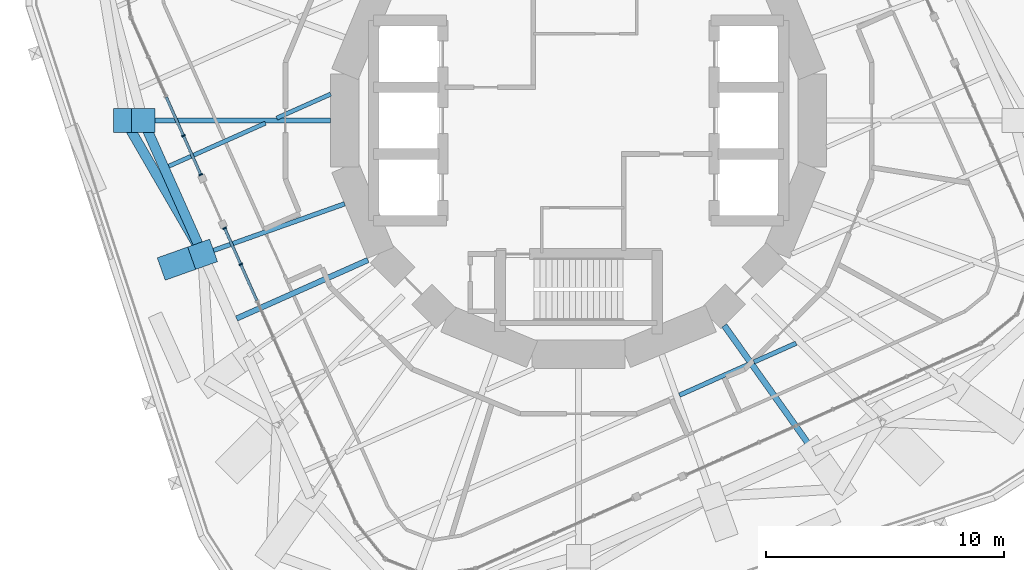
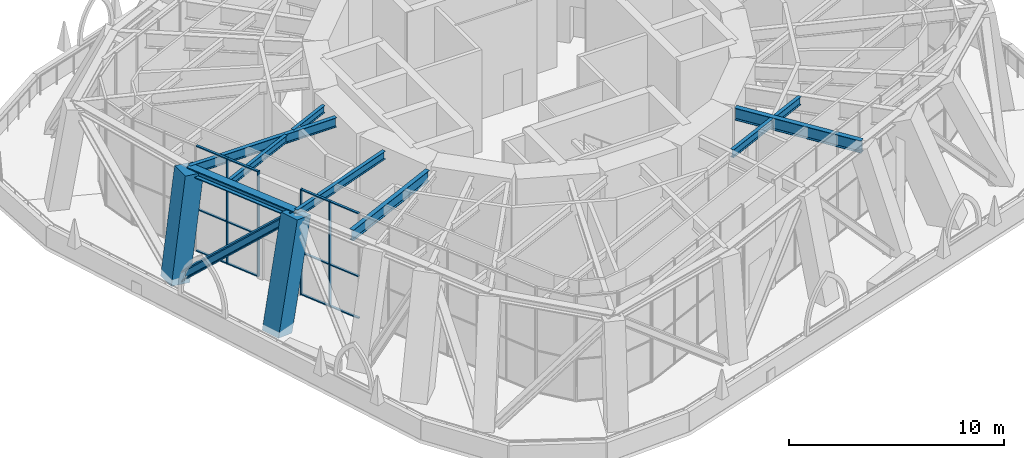
# One storey, part 3 of 18: 20 members, 8 beams, 2 elements without a shape of their own.
"""IFC4 building model written with IfcOpenShell, lengths in metres."""

import ifcopenshell
import ifcopenshell.guid

model = None  # the IFC model being written
_history = None  # IfcOwnerHistory: only IFC2X3 demands one
_inside = {}  # id of a spatial element -> (the spatial element, [elements in it])
_under = {}  # id of a project, library or spatial element -> (it, [spatial elements below it])
_declared = {}  # id of a project -> (the project, [libraries it declares])
_typed = {}  # id of a type object -> (the type object, [elements of that type])
_made_of = {}  # id of a material, layer set ... -> (it, [elements and type objects made of it])


def new_model(schema):
    """Start an empty IFC model of exactly this schema.

    Asked for "IFC4X3", IfcOpenShell would pick the latest addendum, in which some entities
    have other attributes; the version numbers below select the first issue.
    IFC2X3 requires an IfcOwnerHistory on every rooted entity: one is made here for all.
    """
    global model, _history
    if schema == "IFC4X3":
        model = ifcopenshell.file(schema_version=(4, 3, 0, 0))
    else:
        model = ifcopenshell.file(schema=schema)
    _inside.clear()
    _under.clear()
    _declared.clear()
    _typed.clear()
    _made_of.clear()
    _history = None
    if model.schema == "IFC2X3":
        org = make("IfcOrganization", Name="unknown")
        user = make(
            "IfcPersonAndOrganization",
            ThePerson=make("IfcPerson", FamilyName="unknown"),
            TheOrganization=org,
        )
        app = make(
            "IfcApplication",
            ApplicationDeveloper=org,
            Version="unknown",
            ApplicationFullName="unknown",
            ApplicationIdentifier="unknown",
        )
        _history = make(
            "IfcOwnerHistory",
            OwningUser=user,
            OwningApplication=app,
            ChangeAction="ADDED",
            CreationDate=0,
        )
    return model


def make(cls, **values):
    """One entity of the class cls with the attributes given. An attribute that is None is left unset."""
    return model.create_entity(
        cls, **{name: value for name, value in values.items() if value is not None}
    )


def rooted(cls, **values):
    """An entity with a GlobalId (a new one), such as an element, a storey or a relation."""
    return make(cls, GlobalId=ifcopenshell.guid.new(), OwnerHistory=_history, **values)


def si_unit(unit_type, name, prefix=None):
    """IfcSIUnit, for example si_unit("LENGTHUNIT", "METRE", prefix="MILLI")."""
    return make("IfcSIUnit", UnitType=unit_type, Prefix=prefix, Name=name)


def assignment(units):
    """IfcUnitAssignment: the units of a project."""
    return None if units is None else make("IfcUnitAssignment", Units=units)


def point(xyz):
    """IfcCartesianPoint."""
    return None if xyz is None else make("IfcCartesianPoint", Coordinates=xyz)


def direction(xyz):
    """IfcDirection."""
    return None if xyz is None else make("IfcDirection", DirectionRatios=xyz)


def frame(location, z_axis=None, x_axis=None):
    """IfcAxis2Placement3D, a coordinate frame: its origin and axes. An axis left out is left unset."""
    return make(
        "IfcAxis2Placement3D",
        Location=point(location),
        Axis=direction(z_axis),
        RefDirection=direction(x_axis),
    )


def frame_2d(location, x_axis=None):
    """IfcAxis2Placement2D, a coordinate frame in the plane: its origin and x axis."""
    return make(
        "IfcAxis2Placement2D", Location=point(location), RefDirection=direction(x_axis)
    )


def origin():
    """The frame at (0, 0, 0) with its axes left unset."""
    return frame((0.0, 0.0, 0.0))


def origin_2d():
    """The frame at (0, 0) in the plane with its x axis left unset."""
    return frame_2d((0.0, 0.0))


def place(relative_to, where):
    """IfcLocalPlacement: puts the frame where relative to a parent placement (None: the world)."""
    return make(
        "IfcLocalPlacement", PlacementRelTo=relative_to, RelativePlacement=where
    )


def context(
    kind, dimensions, precision=None, world=None, true_north=None, identifier=None
):
    """IfcGeometricRepresentationContext, for example the 3D "Model" context."""
    return make(
        "IfcGeometricRepresentationContext",
        ContextIdentifier=identifier,
        ContextType=kind,
        CoordinateSpaceDimension=dimensions,
        Precision=precision,
        WorldCoordinateSystem=world,
        TrueNorth=true_north,
    )


def subcontext(parent, identifier, kind, view, scale=None):
    """IfcGeometricRepresentationSubContext, for example "Body" below "Model"."""
    return make(
        "IfcGeometricRepresentationSubContext",
        ContextIdentifier=identifier,
        ContextType=kind,
        ParentContext=parent,
        TargetScale=scale,
        TargetView=view,
    )


def project(units=None, contexts=None):
    """IfcProject with its units and contexts."""
    return rooted(
        "IfcProject",
        Name="project",
        RepresentationContexts=contexts,
        UnitsInContext=assignment(units),
    )


def spatial(cls, under=None, at=None, **own):
    """A site, building, storey or space (cls), placed at a placement, below another one or the project."""
    s = rooted(cls, ObjectPlacement=at, **own)
    if under is not None:
        _under.setdefault(under.id(), (under, []))[1].append(s)
    return s


def profile(cls, at=None, kind="AREA", **sizes):
    """A parametric profile (cls). Its sizes go by their IFC names, for example OverallWidth=200.0."""
    return make(cls, ProfileType=kind, Position=at, **sizes)


def rectangle(**sizes):
    """IfcRectangleProfileDef."""
    return profile("IfcRectangleProfileDef", **sizes)


def i_section(**sizes):
    """IfcIShapeProfileDef."""
    return profile("IfcIShapeProfileDef", **sizes)


def extrude(swept, where, along, depth):
    """IfcExtrudedAreaSolid: the profile swept, set in the frame where, extruded along a direction by depth."""
    return make(
        "IfcExtrudedAreaSolid",
        SweptArea=swept,
        Position=where,
        ExtrudedDirection=direction(along),
        Depth=depth,
    )


def shape(context_of_items, identifier, shape_type, items):
    """IfcShapeRepresentation: the items that make up one representation, for example the "Body"."""
    return make(
        "IfcShapeRepresentation",
        ContextOfItems=context_of_items,
        RepresentationIdentifier=identifier,
        RepresentationType=shape_type,
        Items=items,
    )


def material(Name=None, Category=None):
    """IfcMaterial."""
    return make("IfcMaterial", Name=Name, Category=Category)


def material_profile(
    of_material, cross_section, Name=None, Category=None, Priority=None
):
    """IfcMaterialProfile: a cross section and its material."""
    return make(
        "IfcMaterialProfile",
        Name=Name,
        Material=of_material,
        Profile=cross_section,
        Priority=Priority,
        Category=Category,
    )


def profile_set(profiles, Name=None, composite=None):
    """IfcMaterialProfileSet."""
    return make(
        "IfcMaterialProfileSet",
        Name=Name,
        MaterialProfiles=profiles,
        CompositeProfile=composite,
    )


def made_of(thing, what):
    """Note that an element or type object is made of a material, layer set ...; save() writes the relation."""
    if what is not None:
        _made_of.setdefault(what.id(), (what, []))[1].append(thing)
    return thing


def type_object(cls, material=None, **own):
    """A type object (cls), such as IfcWallType, which elements share."""
    return made_of(rooted(cls, **own), material)


def element(
    cls,
    number,
    at=None,
    inside=None,
    cuts=None,
    type_object=None,
    material=None,
    context=None,
    identifier="Body",
    shape_type=None,
    held_by="IfcProductDefinitionShape",
    body=None,
    shapes=None,
    **own,
):
    """One element of the class cls, such as IfcWall. Its Tag is "e" and its number.

    at: its placement. inside: the storey or other place that contains it. cuts: it is an
    opening in that element (IfcRelVoidsElement). A single representation is given by context,
    identifier, shape_type and body (its items); several are given by shapes. held_by: the class
    of the entity that holds the representations. save() writes the other relations.
    """
    e = rooted(cls, Tag="e%d" % number, ObjectPlacement=at, **own)
    if body is not None:
        shapes = [shape(context, identifier, shape_type, body)]
    if shapes is not None:
        e.Representation = make(held_by, Representations=shapes)
    if inside is not None:
        _inside.setdefault(inside.id(), (inside, []))[1].append(e)
    if cuts is not None:
        rooted(
            "IfcRelVoidsElement", RelatingBuildingElement=cuts, RelatedOpeningElement=e
        )
    if type_object is not None:
        _typed.setdefault(type_object.id(), (type_object, []))[1].append(e)
    return made_of(e, material)


def aggregate(whole, parts):
    """IfcRelAggregates: a whole, such as a stair, and the parts it consists of."""
    return rooted("IfcRelAggregates", RelatingObject=whole, RelatedObjects=parts)


def save(model, path):
    """Write the relations noted so far, then the file.

    IfcRelAggregates (storeys below a building ...), IfcRelContainedInSpatialStructure (elements
    in a storey), IfcRelDefinesByType, IfcRelAssociatesMaterial and IfcRelDeclares: one each for
    every whole, place, type object, material and project.
    """
    for whole, parts in _under.values():
        aggregate(whole, parts)
    for where, things in _inside.values():
        rooted(
            "IfcRelContainedInSpatialStructure",
            RelatedElements=things,
            RelatingStructure=where,
        )
    for kind, things in _typed.values():
        rooted("IfcRelDefinesByType", RelatedObjects=things, RelatingType=kind)
    for what, things in _made_of.values():
        rooted("IfcRelAssociatesMaterial", RelatedObjects=things, RelatingMaterial=what)
    for by, libraries in _declared.values():
        rooted("IfcRelDeclares", RelatingContext=by, RelatedDefinitions=libraries)
    model.write(path)


model = new_model("IFC4")

# Units and contexts
model_context = context("Model", 3, precision=1e-05, world=origin(), true_north=direction((0.0, 1.0)))
body_context = subcontext(model_context, "Body", "Model", "MODEL_VIEW")
ifc_project = project(units=[si_unit("LENGTHUNIT", "METRE"), si_unit("AREAUNIT", "SQUARE_METRE"), si_unit("VOLUMEUNIT", "CUBIC_METRE"), si_unit("PLANEANGLEUNIT", "RADIAN"), si_unit("MASSUNIT", "GRAM", prefix="KILO")], contexts=[model_context])

# Site, building, storey
site_placement = place(None, origin())
site = spatial("IfcSite", under=ifc_project, at=site_placement, CompositionType="ELEMENT")
building_placement = place(site_placement, origin())
building = spatial("IfcBuilding", under=site, at=building_placement, Name="Nakasero Lantern House", CompositionType="ELEMENT")
storey_placement = place(building_placement, frame((0.0, 0.0, 176.449951171875)))
storey = spatial("IfcBuildingStorey", under=building, at=storey_placement, Name="L43", CompositionType="ELEMENT", Elevation=176.449951171875)

# Members
ifc_material_1 = material(Name="Steel S355", Category="steel")
ifc_material_profile_1 = material_profile(ifc_material_1, i_section(OverallWidth=0.412109375, OverallDepth=0.4365234375, WebThickness=0.035888671875, FlangeThickness=0.05810546875, FilletRadius=0.01513671875, at=origin_2d()), Name="UC 356x406x467")
ifc_profile_set_1 = profile_set([ifc_material_profile_1], Name="Steel S355")
member_type_1 = type_object("IfcMemberType", Name="Belt truss chord UC 356x406x467", PredefinedType="CHORD", material=ifc_profile_set_1)
member_1_placement = place(storey_placement, frame((-18.280517578125, 0.0, 5.581787109375), z_axis=(0.406765299215, -0.913532698569, 0.0), x_axis=(0.913532698569, 0.406765299215, 0.0)))
element("IfcMember", 1, at=member_1_placement, inside=storey, type_object=member_type_1, Name="Belt truss top chord T4 B5-C15T", PredefinedType="CHORD", context=body_context, shape_type="SweptSolid", body=[
    extrude(i_section(OverallWidth=0.412109375, OverallDepth=0.4365234375, WebThickness=0.035888671875, FlangeThickness=0.05810546875, FilletRadius=0.01513671875, at=origin_2d()), origin(), (0.0, 0.0, 1.0), 6.142333984375),
])
ifc_material_2 = material(Name="Steel S355", Category="steel")
ifc_material_profile_2 = material_profile(ifc_material_2, i_section(OverallWidth=0.412109375, OverallDepth=0.4365234375, WebThickness=0.035888671875, FlangeThickness=0.05810546875, FilletRadius=0.01513671875, at=origin_2d()), Name="UC 356x406x467")
ifc_profile_set_2 = profile_set([ifc_material_profile_2], Name="Steel S355")
member_type_2 = type_object("IfcMemberType", Name="Belt truss diagonal UC 356x406x467", PredefinedType="BRACE", material=ifc_profile_set_2)
member_2_placement = place(storey_placement, frame((-19.031494140625, 0.0, -0.418212890625), z_axis=(0.367825526504, -0.635169188668, 0.679164548412), x_axis=(0.865369569162, 0.501134222309, 0.0)))
element("IfcMember", 2, at=member_2_placement, inside=storey, type_object=member_type_2, Name="Belt truss diagonal T4-15", PredefinedType="BRACE", context=body_context, shape_type="SweptSolid", body=[
    extrude(i_section(OverallWidth=0.412109375, OverallDepth=0.4365234375, WebThickness=0.035888671875, FlangeThickness=0.05810546875, FilletRadius=0.01513671875, at=origin_2d()), origin(), (0.0, 0.0, 1.0), 8.83447265625),
])

# Beams
ifc_material_3 = material(Name="Steel S355", Category="steel")
ifc_material_profile_3 = material_profile(ifc_material_3, i_section(OverallWidth=0.177978515625, OverallDepth=0.406494140625, WebThickness=0.0078125, FlangeThickness=0.0126953125, FilletRadius=0.01025390625, at=origin_2d()), Name="UB 406x178x60")
ifc_profile_set_3 = profile_set([ifc_material_profile_3], Name="Steel S355")
beam_type_1 = type_object("IfcBeamType", Name="Infill beam UB 406x178x60", PredefinedType="JOIST", material=ifc_profile_set_3)
beam_1_placement = place(storey_placement, frame((-17.203369140625, -1.91259765625, 5.596923828125), z_axis=(0.913539493059, 0.406750039486, 0.0), x_axis=(-0.406750039486, 0.913539493059, 0.0)))
element("IfcBeam", 3, at=beam_1_placement, inside=storey, type_object=beam_type_1, Name="Infill beam L44 09.1", PredefinedType="JOIST", context=body_context, shape_type="SweptSolid", body=[
    extrude(i_section(OverallWidth=0.177978515625, OverallDepth=0.406494140625, WebThickness=0.0078125, FlangeThickness=0.0126953125, FilletRadius=0.01025390625, at=origin_2d()), origin(), (0.0, 0.0, 1.0), 4.444091796875),
])
beam_2_placement = place(storey_placement, frame((-12.671875, 0.10498046875, 5.596923828125), z_axis=(0.913531019811, 0.406769069427, 0.0), x_axis=(-0.406769069427, 0.913531019811, 0.0)))
element("IfcBeam", 4, at=beam_2_placement, inside=storey, type_object=beam_type_1, Name="Infill beam L44 09.2", PredefinedType="JOIST", context=body_context, shape_type="SweptSolid", body=[
    extrude(i_section(OverallWidth=0.177978515625, OverallDepth=0.406494140625, WebThickness=0.0078125, FlangeThickness=0.0126953125, FilletRadius=0.01025390625, at=origin_2d()), origin(), (0.0, 0.0, 1.0), 2.478271484375),
])
ifc_material_4 = material(Name="Steel S355", Category="steel")
ifc_material_profile_4 = material_profile(ifc_material_4, i_section(OverallWidth=0.18994140625, OverallDepth=0.453369140625, WebThickness=0.008544921875, FlangeThickness=0.0126953125, FilletRadius=0.01025390625, at=origin_2d()), Name="UB 457x191x67")
ifc_profile_set_4 = profile_set([ifc_material_profile_4], Name="Steel S355")
beam_type_2 = type_object("IfcBeamType", Name="Infill beam UB 457x191x67", PredefinedType="JOIST", material=ifc_profile_set_4)
beam_3_placement = place(storey_placement, frame((4.232421875, -11.52490234375, 5.5732421875), z_axis=(0.913544106346, 0.406739678123, 0.0), x_axis=(-0.406739678123, 0.913544106346, 0.0)))
element("IfcBeam", 5, at=beam_3_placement, inside=storey, type_object=beam_type_2, Name="Infill beam L44 04.4", PredefinedType="JOIST", context=body_context, shape_type="SweptSolid", body=[
    extrude(i_section(OverallWidth=0.18994140625, OverallDepth=0.453369140625, WebThickness=0.008544921875, FlangeThickness=0.0126953125, FilletRadius=0.01025390625, at=origin_2d()), origin(), (0.0, 0.0, 1.0), 3.16455078125),
])
beam_4_placement = place(storey_placement, frame((7.361572265625, -10.131591796875, 5.5732421875), z_axis=(0.913587966127, 0.406641154026, 0.0), x_axis=(-0.406641154026, 0.913587966127, 0.0)))
element("IfcBeam", 6, at=beam_4_placement, inside=storey, type_object=beam_type_2, Name="Infill beam L44 04.5", PredefinedType="JOIST", context=body_context, shape_type="SweptSolid", body=[
    extrude(i_section(OverallWidth=0.18994140625, OverallDepth=0.453369140625, WebThickness=0.008544921875, FlangeThickness=0.0126953125, FilletRadius=0.01025390625, at=origin_2d()), origin(), (0.0, 0.0, 1.0), 1.9375),
])
ifc_material_5 = material(Name="Steel S355", Category="steel")
ifc_material_profile_5 = material_profile(ifc_material_5, i_section(OverallWidth=0.22900390625, OverallDepth=0.6123046875, WebThickness=0.011962890625, FlangeThickness=0.01953125, FilletRadius=0.0126953125, at=origin_2d()), Name="UB 610x229x125")
ifc_profile_set_5 = profile_set([ifc_material_profile_5], Name="Steel S355")
beam_type_3 = type_object("IfcBeamType", Name="Infill beam UB 610x229x125", PredefinedType="JOIST", material=ifc_profile_set_5)
beam_5_placement = place(storey_placement, frame((-14.356201171875, -8.307373046875, 5.493896484375), z_axis=(0.913549526553, 0.40672750403, 0.0), x_axis=(-0.40672750403, 0.913549526553, 0.0)))
element("IfcBeam", 7, at=beam_5_placement, inside=storey, type_object=beam_type_3, Name="Infill beam L44 07.1", PredefinedType="JOIST", context=body_context, shape_type="SweptSolid", body=[
    extrude(i_section(OverallWidth=0.22900390625, OverallDepth=0.6123046875, WebThickness=0.011962890625, FlangeThickness=0.01953125, FilletRadius=0.0126953125, at=origin_2d()), origin(), (0.0, 0.0, 1.0), 6.036865234375),
])

# Curtain wall, members
ifc_material_6 = material(Name="Aluminium 6063-T6 and glass", Category="aluminium")
curtain_wall_type = type_object("IfcCurtainWallType", Name="Sky lounge glazing CW-3", PredefinedType="USERDEFINED", material=ifc_material_6)
curtain_wall_1_placement = place(storey_placement, origin())
curtain_wall_1 = element("IfcCurtainWall", 8, at=curtain_wall_1_placement, inside=storey, type_object=curtain_wall_type, Name="Curtain wall CW-3 L43", ObjectType="STICK CURTAIN WALL", PredefinedType="USERDEFINED")
ifc_material_7 = material(Name="Aluminium 6063-T6", Category="aluminium")
ifc_material_profile_6 = material_profile(ifc_material_7, rectangle(XDim=0.06005859375, YDim=0.159912109375, at=origin_2d()), Name="CW-3 mullion 60x160")
ifc_profile_set_6 = profile_set([ifc_material_profile_6], Name="Aluminium 6063-T6")
member_type_3 = type_object("IfcMemberType", Name="Mullion CW-3", PredefinedType="MULLION", material=ifc_profile_set_6)
member_3_placement = place(storey_placement, frame((-16.5869140625, -0.639404296875, 0.0), z_axis=(0.0, 0.0, 1.0), x_axis=(0.406736643076, -0.913545457643, 0.0)))
member_3 = element("IfcMember", 9, at=member_3_placement, type_object=member_type_3, Name="CW-3 mullion 4", PredefinedType="MULLION", context=body_context, shape_type="SweptSolid", body=[
    extrude(rectangle(XDim=0.06005859375, YDim=0.159912109375, at=origin_2d()), origin(), (0.0, 0.0, 1.0), 6.0),
])
member_4_placement = place(storey_placement, frame((-15.862060546875, -2.267822265625, 0.0), z_axis=(0.0, 0.0, 1.0), x_axis=(0.406736643076, -0.913545457643, 0.0)))
member_4 = element("IfcMember", 10, at=member_4_placement, type_object=member_type_3, Name="CW-3 mullion 5", PredefinedType="MULLION", context=body_context, shape_type="SweptSolid", body=[
    extrude(rectangle(XDim=0.06005859375, YDim=0.159912109375, at=origin_2d()), origin(), (0.0, 0.0, 1.0), 6.0),
])

curtain_wall_2_placement = place(storey_placement, origin())
curtain_wall_2 = element("IfcCurtainWall", 11, at=curtain_wall_2_placement, inside=storey, type_object=curtain_wall_type, Name="Curtain wall CW-3 L43", ObjectType="STICK CURTAIN WALL", PredefinedType="USERDEFINED")
member_5_placement = place(storey_placement, frame((-14.861328125, -4.51513671875, 0.0), z_axis=(0.0, 0.0, 1.0), x_axis=(0.406736643076, -0.913545457643, 0.0)))
member_5 = element("IfcMember", 12, at=member_5_placement, type_object=member_type_3, Name="CW-3 mullion 1", PredefinedType="MULLION", context=body_context, shape_type="SweptSolid", body=[
    extrude(rectangle(XDim=0.06005859375, YDim=0.159912109375, at=origin_2d()), origin(), (0.0, 0.0, 1.0), 6.0),
])
member_6_placement = place(storey_placement, frame((-14.184814453125, -6.034912109375, 0.0), z_axis=(0.0, 0.0, 1.0), x_axis=(0.406736643076, -0.913545457643, 0.0)))
member_6 = element("IfcMember", 13, at=member_6_placement, type_object=member_type_3, Name="CW-3 mullion 2", PredefinedType="MULLION", context=body_context, shape_type="SweptSolid", body=[
    extrude(rectangle(XDim=0.06005859375, YDim=0.159912109375, at=origin_2d()), origin(), (0.0, 0.0, 1.0), 6.0),
])

# Beams
ifc_material_8 = material(Name="Steel S355", Category="steel")
ifc_material_profile_7 = material_profile(ifc_material_8, i_section(OverallWidth=0.19140625, OverallDepth=0.4599609375, WebThickness=0.010009765625, FlangeThickness=0.01611328125, FilletRadius=0.01025390625, at=origin_2d()), Name="UB 457x191x82")
ifc_profile_set_7 = profile_set([ifc_material_profile_7], Name="Steel S355")
beam_type_4 = type_object("IfcBeamType", Name="Primary beam UB 457x191x82, span 6 to 9 m", PredefinedType="BEAM", material=ifc_profile_set_7)
beam_6_placement = place(storey_placement, frame((-15.781982421875, -5.611328125, 5.570068359375), z_axis=(0.942211442913, 0.335018800731, 0.0), x_axis=(-0.335018800731, 0.942211442913, 0.0)))
element("IfcBeam", 14, at=beam_6_placement, inside=storey, type_object=beam_type_4, Name="Primary beam L44 B5-C16T", PredefinedType="BEAM", context=body_context, shape_type="SweptSolid", body=[
    extrude(i_section(OverallWidth=0.19140625, OverallDepth=0.4599609375, WebThickness=0.010009765625, FlangeThickness=0.01611328125, FilletRadius=0.01025390625, at=origin_2d()), origin(), (0.0, 0.0, 1.0), 6.328369140625),
])
ifc_material_9 = material(Name="Steel S355", Category="steel")
ifc_material_profile_8 = material_profile(ifc_material_9, i_section(OverallWidth=0.2099609375, OverallDepth=0.53662109375, WebThickness=0.0107421875, FlangeThickness=0.017333984375, FilletRadius=0.0126953125, at=origin_2d()), Name="UB 533x210x101")
ifc_profile_set_8 = profile_set([ifc_material_profile_8], Name="Steel S355")
beam_type_5 = type_object("IfcBeamType", Name="Primary beam UB 533x210x101, span 6 to 9 m", PredefinedType="BEAM", material=ifc_profile_set_8)
beam_7_placement = place(storey_placement, frame((-18.280517578125, 0.0, 5.53173828125), z_axis=(1.0, 0.0, 0.0), x_axis=(0.0, 1.0, 0.0)))
element("IfcBeam", 15, at=beam_7_placement, inside=storey, type_object=beam_type_5, Name="Primary beam L44 B5-C15T", PredefinedType="BEAM", context=body_context, shape_type="SweptSolid", body=[
    extrude(i_section(OverallWidth=0.2099609375, OverallDepth=0.53662109375, WebThickness=0.0107421875, FlangeThickness=0.017333984375, FilletRadius=0.0126953125, at=origin_2d()), origin(), (0.0, 0.0, 1.0), 7.87255859375),
])
ifc_material_10 = material(Name="Steel S355", Category="steel")
ifc_material_profile_9 = material_profile(ifc_material_10, i_section(OverallWidth=0.255859375, OverallDepth=0.69287109375, WebThickness=0.014404296875, FlangeThickness=0.023681640625, FilletRadius=0.01513671875, at=origin_2d()), Name="UB 686x254x170")
ifc_profile_set_9 = profile_set([ifc_material_profile_9], Name="Steel S355")
beam_type_6 = type_object("IfcBeamType", Name="Primary beam UB 686x254x170, span 6 to 9 m", PredefinedType="BEAM", material=ifc_profile_set_9)
beam_8_placement = place(storey_placement, frame((9.87353515625, -13.884521484375, 5.45361328125), z_axis=(-0.57954101868, 0.8149430702, 0.0), x_axis=(-0.8149430702, -0.57954101868, 0.0)))
element("IfcBeam", 16, at=beam_8_placement, inside=storey, type_object=beam_type_6, Name="Primary beam L44 B5-C23T", PredefinedType="BEAM", context=body_context, shape_type="SweptSolid", body=[
    extrude(i_section(OverallWidth=0.255859375, OverallDepth=0.69287109375, WebThickness=0.014404296875, FlangeThickness=0.023681640625, FilletRadius=0.01513671875, at=origin_2d()), origin(), (0.0, 0.0, 1.0), 6.48193359375),
])

# Members
ifc_material_11 = material(Name="Concrete C50/60", Category="concrete")
ifc_material_profile_10 = material_profile(ifc_material_11, rectangle(XDim=1.0, YDim=1.0, at=origin_2d()), Name="RC 1000x1000")
ifc_profile_set_10 = profile_set([ifc_material_profile_10], Name="Concrete C50/60")
member_type_4 = type_object("IfcMemberType", Name="Raking column RC 1000x1000 C50/60", PredefinedType="STRUT", material=ifc_profile_set_10)
member_7_placement = place(storey_placement, frame((-19.031494140625, 0.0, -0.418212890625), z_axis=(0.1241937487, 0.0, 0.992257987009), x_axis=(0.0, 1.0, 0.0)))
element("IfcMember", 17, at=member_7_placement, inside=storey, type_object=member_type_4, Name="Raking column B5-C15T L43", PredefinedType="STRUT", context=body_context, shape_type="SweptSolid", body=[
    extrude(rectangle(XDim=1.0, YDim=1.0, at=origin_2d()), origin(), (0.0, 0.0, 1.0), 6.046875),
])
member_8_placement = place(storey_placement, frame((-17.060546875, -6.06591796875, -0.418212890625), z_axis=(0.207844792965, 0.073898606932, 0.975366360877), x_axis=(-0.335002568833, 0.942217214275, 0.0)))
element("IfcMember", 18, at=member_8_placement, inside=storey, type_object=member_type_4, Name="Raking column B5-C16T L43", PredefinedType="STRUT", context=body_context, shape_type="SweptSolid", body=[
    extrude(rectangle(XDim=1.0, YDim=1.0, at=origin_2d()), origin(), (0.0, 0.0, 1.0), 6.151611328125),
])

# Member
ifc_material_12 = material(Name="Aluminium 6063-T6", Category="aluminium")
ifc_material_profile_11 = material_profile(ifc_material_12, rectangle(XDim=0.06005859375, YDim=0.1201171875, at=origin_2d()), Name="CW-3 transom 60x120")
ifc_profile_set_11 = profile_set([ifc_material_profile_11], Name="Aluminium 6063-T6")
member_type_5 = type_object("IfcMemberType", Name="Transom CW-3", PredefinedType="USERDEFINED", material=ifc_profile_set_11)
member_9_placement = place(storey_placement, frame((-17.31201171875, 0.989013671875, 0.030029296875), z_axis=(0.406810532882, -0.913512556201, 0.0), x_axis=(0.0, 0.0, 1.0)))
member_9 = element("IfcMember", 19, at=member_9_placement, type_object=member_type_5, Name="CW-3 transom 3.1", ObjectType="TRANSOM", PredefinedType="USERDEFINED", context=body_context, shape_type="SweptSolid", body=[
    extrude(rectangle(XDim=0.06005859375, YDim=0.1201171875, at=origin_2d()), origin(), (0.0, 0.0, 1.0), 1.75244140625),
])

member_10_placement = place(storey_placement, frame((-17.31201171875, 0.989013671875, 2.400146484375), z_axis=(0.406810532882, -0.913512556201, 0.0), x_axis=(0.0, 0.0, 1.0)))
member_10 = element("IfcMember", 20, at=member_10_placement, type_object=member_type_5, Name="CW-3 transom 3.2", ObjectType="TRANSOM", PredefinedType="USERDEFINED", context=body_context, shape_type="SweptSolid", body=[
    extrude(rectangle(XDim=0.06005859375, YDim=0.1201171875, at=origin_2d()), origin(), (0.0, 0.0, 1.0), 1.75244140625),
])

member_11_placement = place(storey_placement, frame((-17.31201171875, 0.989013671875, 5.969970703125), z_axis=(0.406810532882, -0.913512556201, 0.0), x_axis=(0.0, 0.0, 1.0)))
member_11 = element("IfcMember", 21, at=member_11_placement, type_object=member_type_5, Name="CW-3 transom 3.3", ObjectType="TRANSOM", PredefinedType="USERDEFINED", context=body_context, shape_type="SweptSolid", body=[
    extrude(rectangle(XDim=0.06005859375, YDim=0.1201171875, at=origin_2d()), origin(), (0.0, 0.0, 1.0), 1.75244140625),
])

member_12_placement = place(storey_placement, frame((-16.57470703125, -0.666748046875, 0.030029296875), z_axis=(0.406677625737, -0.913571731571, 0.0), x_axis=(0.0, 0.0, 1.0)))
member_12 = element("IfcMember", 22, at=member_12_placement, type_object=member_type_5, Name="CW-3 transom 4.1", ObjectType="TRANSOM", PredefinedType="USERDEFINED", context=body_context, shape_type="SweptSolid", body=[
    extrude(rectangle(XDim=0.06005859375, YDim=0.1201171875, at=origin_2d()), origin(), (0.0, 0.0, 1.0), 1.722412109375),
])

member_13_placement = place(storey_placement, frame((-16.57470703125, -0.666748046875, 2.400146484375), z_axis=(0.406677625737, -0.913571731571, 0.0), x_axis=(0.0, 0.0, 1.0)))
member_13 = element("IfcMember", 23, at=member_13_placement, type_object=member_type_5, Name="CW-3 transom 4.2", ObjectType="TRANSOM", PredefinedType="USERDEFINED", context=body_context, shape_type="SweptSolid", body=[
    extrude(rectangle(XDim=0.06005859375, YDim=0.1201171875, at=origin_2d()), origin(), (0.0, 0.0, 1.0), 1.722412109375),
])

member_14_placement = place(storey_placement, frame((-16.57470703125, -0.666748046875, 5.969970703125), z_axis=(0.406677625737, -0.913571731571, 0.0), x_axis=(0.0, 0.0, 1.0)))
member_14 = element("IfcMember", 24, at=member_14_placement, type_object=member_type_5, Name="CW-3 transom 4.3", ObjectType="TRANSOM", PredefinedType="USERDEFINED", context=body_context, shape_type="SweptSolid", body=[
    extrude(rectangle(XDim=0.06005859375, YDim=0.1201171875, at=origin_2d()), origin(), (0.0, 0.0, 1.0), 1.722412109375),
])

aggregate(curtain_wall_1, [member_3, member_4, member_9, member_10, member_11, member_12, member_13, member_14])

member_15_placement = place(storey_placement, frame((-14.84912109375, -4.54248046875, 0.030029296875), z_axis=(0.406632793945, -0.913591687182, 0.0), x_axis=(0.0, 0.0, 1.0)))
member_15 = element("IfcMember", 25, at=member_15_placement, type_object=member_type_5, Name="CW-3 transom 1.1", ObjectType="TRANSOM", PredefinedType="USERDEFINED", context=body_context, shape_type="SweptSolid", body=[
    extrude(rectangle(XDim=0.06005859375, YDim=0.1201171875, at=origin_2d()), origin(), (0.0, 0.0, 1.0), 1.603759765625),
])

member_16_placement = place(storey_placement, frame((-14.84912109375, -4.54248046875, 2.400146484375), z_axis=(0.406632793945, -0.913591687182, 0.0), x_axis=(0.0, 0.0, 1.0)))
member_16 = element("IfcMember", 26, at=member_16_placement, type_object=member_type_5, Name="CW-3 transom 1.2", ObjectType="TRANSOM", PredefinedType="USERDEFINED", context=body_context, shape_type="SweptSolid", body=[
    extrude(rectangle(XDim=0.06005859375, YDim=0.1201171875, at=origin_2d()), origin(), (0.0, 0.0, 1.0), 1.603759765625),
])

member_17_placement = place(storey_placement, frame((-14.84912109375, -4.54248046875, 5.969970703125), z_axis=(0.406632793945, -0.913591687182, 0.0), x_axis=(0.0, 0.0, 1.0)))
member_17 = element("IfcMember", 27, at=member_17_placement, type_object=member_type_5, Name="CW-3 transom 1.3", ObjectType="TRANSOM", PredefinedType="USERDEFINED", context=body_context, shape_type="SweptSolid", body=[
    extrude(rectangle(XDim=0.06005859375, YDim=0.1201171875, at=origin_2d()), origin(), (0.0, 0.0, 1.0), 1.603759765625),
])

member_18_placement = place(storey_placement, frame((-14.172607421875, -6.062255859375, 0.030029296875), z_axis=(0.406720658648, -0.913552574201, 0.0), x_axis=(0.0, 0.0, 1.0)))
member_18 = element("IfcMember", 28, at=member_18_placement, type_object=member_type_5, Name="CW-3 transom 2.1", ObjectType="TRANSOM", PredefinedType="USERDEFINED", context=body_context, shape_type="SweptSolid", body=[
    extrude(rectangle(XDim=0.06005859375, YDim=0.1201171875, at=origin_2d()), origin(), (0.0, 0.0, 1.0), 1.634033203125),
])

member_19_placement = place(storey_placement, frame((-14.172607421875, -6.062255859375, 2.400146484375), z_axis=(0.406720658648, -0.913552574201, 0.0), x_axis=(0.0, 0.0, 1.0)))
member_19 = element("IfcMember", 29, at=member_19_placement, type_object=member_type_5, Name="CW-3 transom 2.2", ObjectType="TRANSOM", PredefinedType="USERDEFINED", context=body_context, shape_type="SweptSolid", body=[
    extrude(rectangle(XDim=0.06005859375, YDim=0.1201171875, at=origin_2d()), origin(), (0.0, 0.0, 1.0), 1.634033203125),
])

member_20_placement = place(storey_placement, frame((-14.172607421875, -6.062255859375, 5.969970703125), z_axis=(0.406720658648, -0.913552574201, 0.0), x_axis=(0.0, 0.0, 1.0)))
member_20 = element("IfcMember", 30, at=member_20_placement, type_object=member_type_5, Name="CW-3 transom 2.3", ObjectType="TRANSOM", PredefinedType="USERDEFINED", context=body_context, shape_type="SweptSolid", body=[
    extrude(rectangle(XDim=0.06005859375, YDim=0.1201171875, at=origin_2d()), origin(), (0.0, 0.0, 1.0), 1.634033203125),
])

aggregate(curtain_wall_2, [member_5, member_6, member_15, member_16, member_17, member_18, member_19, member_20])

save(model, "model.ifc")
